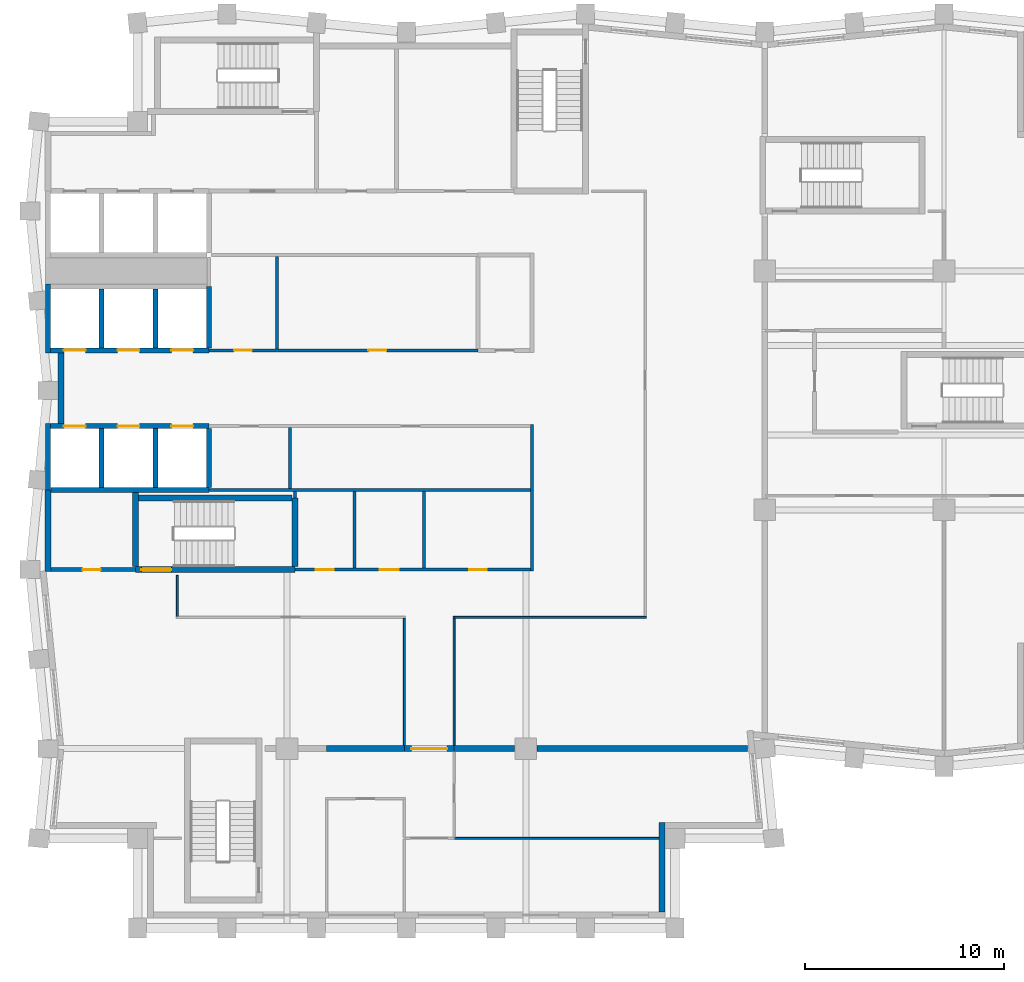
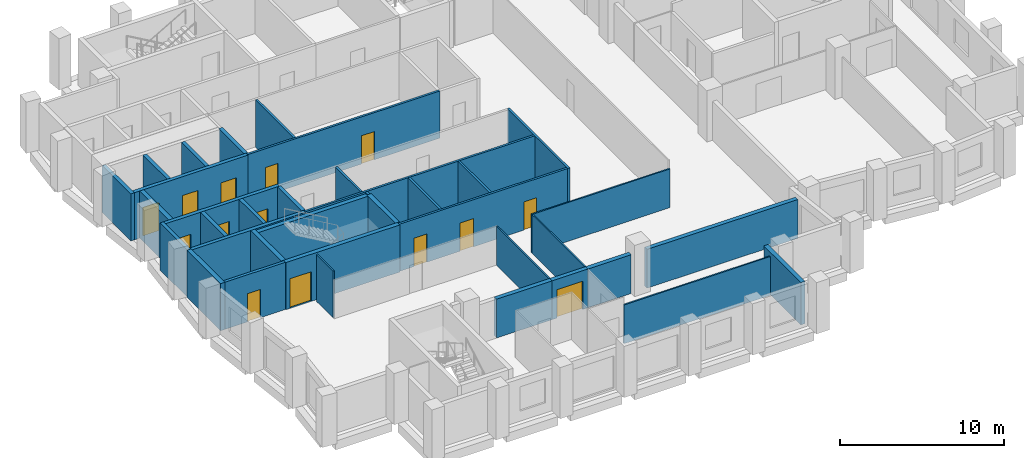
# One storey, part 3 of 7: 37 walls, 14 doors, 14 openings.
"""IFC4 building model written with IfcOpenShell, lengths in metres."""

from ifc_helpers import new_model, si_unit, direction, frame, frame_2d, origin, place, context, subcontext, project, spatial, rectangle, extrude, material, layer, layer_set, type_object, element, fill, save


model = new_model("IFC4")

# Units and contexts
model_context = context("Model", 3, precision=1e-05, world=origin(), true_north=direction((0.0, 1.0)))
body_context = subcontext(model_context, "Body", "Model", "MODEL_VIEW")
ifc_project = project(units=[si_unit("LENGTHUNIT", "METRE"), si_unit("AREAUNIT", "SQUARE_METRE"), si_unit("VOLUMEUNIT", "CUBIC_METRE"), si_unit("PLANEANGLEUNIT", "RADIAN"), si_unit("MASSUNIT", "GRAM", prefix="KILO")], contexts=[model_context])

# Site, building, storey
site_placement = place(None, origin())
site = spatial("IfcSite", under=ifc_project, at=site_placement, CompositionType="ELEMENT")
building_placement = place(site_placement, origin())
building = spatial("IfcBuilding", under=site, at=building_placement, Name="Brondeck Convention Tower", CompositionType="ELEMENT")
storey_placement = place(building_placement, frame((0.0, 0.0, 206.39990234375)))
storey = spatial("IfcBuildingStorey", under=building, at=storey_placement, Name="L50", CompositionType="ELEMENT", Elevation=206.39990234375)

# Wall
ifc_material_1 = material(Name="Concrete compartment wall C30/37", Category="concrete")
ifc_layer_1 = layer(ifc_material_1, 0.300048828125)
ifc_layer_set_1 = layer_set([ifc_layer_1], Name="Compartment wall 300")
wall_type_1 = type_object("IfcWallType", Name="Compartment wall 300", PredefinedType="PARTITIONING", material=ifc_layer_set_1)
wall_1_placement = place(storey_placement, frame((14.0, 27.0, 0.0), z_axis=(0.0, 0.0, 1.0), x_axis=(1.0, 0.0, 0.0)))
element("IfcWall", 1, at=wall_1_placement, inside=storey, type_object=wall_type_1, Name="FLR-L50-W015", PredefinedType="PARTITIONING", context=body_context, shape_type="SweptSolid", body=[
    extrude(rectangle(XDim=3.89990234375, YDim=0.300048828125, at=frame_2d((1.949951171875, 0.0))), origin(), (0.0, 0.0, 1.0), 2.880126953125),
])

# Wall, opening, door
wall_2_placement = place(storey_placement, frame((20.39990234375, 27.0, 0.0), z_axis=(0.0, 0.0, 1.0), x_axis=(-1.0, 0.0, 0.0)))
wall_2 = element("IfcWall", 2, at=wall_2_placement, inside=storey, type_object=wall_type_1, Name="FLR-L50-W016", PredefinedType="PARTITIONING", context=body_context, shape_type="SweptSolid", body=[
    extrude(rectangle(XDim=2.5, YDim=0.300048828125, at=frame_2d((1.25, 0.0))), origin(), (0.0, 0.0, 1.0), 2.880126953125),
])
opening_1_placement = place(wall_2_placement, frame((0.35009765625, 0.0, 0.0)))
opening_1 = element("IfcOpeningElement", 3, at=opening_1_placement, cuts=wall_2, Name="Opening OF-K2-011", PredefinedType="OPENING", context=body_context, shape_type="SweptSolid", body=[
    extrude(rectangle(XDim=1.800048828125, YDim=2.10009765625, at=frame_2d((0.89990234375, 1.050048828125))), frame((0.0, 0.159912109375, 0.0), z_axis=(0.0, -1.0, 0.0), x_axis=(1.0, 0.0, 0.0)), (0.0, 0.0, 1.0), 0.320068359375),
])
ifc_material_2 = material(Name="Steel fire door pair", Category="steel")
door_type_1 = type_object("IfcDoorType", Name="Fire door pair 1800", OperationType="DOUBLE_DOOR_SINGLE_SWING", PredefinedType="DOOR", material=ifc_material_2)
door_1_placement = place(opening_1_placement, origin())
door_1 = element("IfcDoor", 4, at=door_1_placement, inside=storey, type_object=door_type_1, Name="Door OF-K2-011", OperationType="DOUBLE_DOOR_SINGLE_SWING", OverallHeight=2.10009765625, OverallWidth=1.800048828125, PredefinedType="DOOR", context=body_context, shape_type="SweptSolid", body=[
    extrude(rectangle(XDim=1.800048828125, YDim=2.10009765625, at=frame_2d((0.89990234375, 1.050048828125))), frame((0.0, 0.02490234375, 0.0), z_axis=(0.0, -1.0, 0.0), x_axis=(1.0, 0.0, 0.0)), (0.0, 0.0, 1.0), 0.050048828125),
])
fill(opening_1, door_1)

# Walls
wall_3_placement = place(storey_placement, frame((20.39990234375, 27.0, 0.0), z_axis=(0.0, 0.0, 1.0), x_axis=(1.0, 0.0, 0.0)))
element("IfcWall", 5, at=wall_3_placement, inside=storey, type_object=wall_type_1, Name="FLR-L50-W017", PredefinedType="PARTITIONING", context=body_context, shape_type="SweptSolid", body=[
    extrude(rectangle(XDim=3.045166015625, YDim=0.300048828125, at=frame_2d((1.5224609375, 0.0))), origin(), (0.0, 0.0, 1.0), 2.880126953125),
])
wall_4_placement = place(storey_placement, frame((24.554931640625, 27.0, 0.0), z_axis=(0.0, 0.0, 1.0), x_axis=(1.0, 0.0, 0.0)))
element("IfcWall", 6, at=wall_4_placement, inside=storey, type_object=wall_type_1, Name="FLR-L50-W018", PredefinedType="PARTITIONING", context=body_context, shape_type="SweptSolid", body=[
    extrude(rectangle(XDim=10.591064453125, YDim=0.300048828125, at=frame_2d((5.29541015625, 0.0))), origin(), (0.0, 0.0, 1.0), 2.880126953125),
])

# Wall, openings, doors
ifc_material_3 = material(Name="Concrete C50/60", Category="concrete")
ifc_layer_2 = layer(ifc_material_3, 0.14990234375)
ifc_layer_set_2 = layer_set([ifc_layer_2], Name="Core beam-seat wall 150 Concrete C50/60")
wall_type_2 = type_object("IfcWallType", Name="Core beam-seat wall 150 Concrete C50/60", PredefinedType="SHEAR", material=ifc_layer_set_2)
wall_5_placement = place(storey_placement, frame((12.39990234375, 36.0, 0.0), z_axis=(0.0, 0.0, 1.0), x_axis=(1.0, 0.0, 0.0)))
wall_5 = element("IfcWall", 7, at=wall_5_placement, inside=storey, type_object=wall_type_2, Name="L50 core wall", PredefinedType="SHEAR", context=body_context, shape_type="SweptSolid", body=[
    extrude(rectangle(XDim=11.8251953125, YDim=0.14990234375, at=frame_2d((5.91259765625, 0.0))), origin(), (0.0, 0.0, 1.0), 3.5),
])
opening_2_placement = place(wall_5_placement, frame((1.050048828125, 0.0, 0.0)))
opening_2 = element("IfcOpeningElement", 8, at=opening_2_placement, cuts=wall_5, Name="Opening C28-03", PredefinedType="OPENING", context=body_context, shape_type="SweptSolid", body=[
    extrude(rectangle(XDim=0.89990234375, YDim=2.10009765625, at=frame_2d((0.449951171875, 1.050048828125))), frame((0.0, 0.0849609375, 0.0), z_axis=(0.0, -1.0, 0.0), x_axis=(1.0, 0.0, 0.0)), (0.0, 0.0, 1.0), 0.169921875),
])
opening_3_placement = place(wall_5_placement, frame((4.27490234375, 0.0, 0.0)))
opening_3 = element("IfcOpeningElement", 9, at=opening_3_placement, cuts=wall_5, Name="Opening C28-04", PredefinedType="OPENING", context=body_context, shape_type="SweptSolid", body=[
    extrude(rectangle(XDim=0.949951171875, YDim=2.10009765625, at=frame_2d((0.47509765625, 1.050048828125))), frame((0.0, 0.0849609375, 0.0), z_axis=(0.0, -1.0, 0.0), x_axis=(1.0, 0.0, 0.0)), (0.0, 0.0, 1.0), 0.169921875),
])
opening_4_placement = place(wall_5_placement, frame((8.75, 0.0, 0.0)))
opening_4 = element("IfcOpeningElement", 10, at=opening_4_placement, cuts=wall_5, Name="Opening C28-05", PredefinedType="OPENING", context=body_context, shape_type="SweptSolid", body=[
    extrude(rectangle(XDim=0.89990234375, YDim=2.10009765625, at=frame_2d((0.449951171875, 1.050048828125))), frame((0.0, 0.0849609375, 0.0), z_axis=(0.0, -1.0, 0.0), x_axis=(1.0, 0.0, 0.0)), (0.0, 0.0, 1.0), 0.169921875),
])
ifc_material_4 = material(Name="Steel fire door", Category="steel")
door_type_2 = type_object("IfcDoorType", Name="Room door 900x2100 EI 60", OperationType="NOTDEFINED", PredefinedType="DOOR", material=ifc_material_4)
door_2_placement = place(opening_2_placement, origin())
door_2 = element("IfcDoor", 11, at=door_2_placement, inside=storey, type_object=door_type_2, Name="L50 Room door FR-1", OperationType="SINGLE_SWING_RIGHT", OverallHeight=2.10009765625, OverallWidth=0.89990234375, PredefinedType="DOOR", context=body_context, shape_type="SweptSolid", body=[
    extrude(rectangle(XDim=0.89990234375, YDim=2.10009765625, at=frame_2d((0.449951171875, 1.050048828125))), frame((0.0, 0.02490234375, 0.0), z_axis=(0.0, -1.0, 0.0), x_axis=(1.0, 0.0, 0.0)), (0.0, 0.0, 1.0), 0.050048828125),
])
fill(opening_2, door_2)
door_3_placement = place(opening_4_placement, origin())
door_3 = element("IfcDoor", 12, at=door_3_placement, inside=storey, type_object=door_type_2, Name="L50 Room door FR-3", OperationType="SINGLE_SWING_RIGHT", OverallHeight=2.10009765625, OverallWidth=0.89990234375, PredefinedType="DOOR", context=body_context, shape_type="SweptSolid", body=[
    extrude(rectangle(XDim=0.89990234375, YDim=2.10009765625, at=frame_2d((0.449951171875, 1.050048828125))), frame((0.0, 0.02490234375, 0.0), z_axis=(0.0, -1.0, 0.0), x_axis=(1.0, 0.0, 0.0)), (0.0, 0.0, 1.0), 0.050048828125),
])
fill(opening_4, door_3)
door_type_3 = type_object("IfcDoorType", Name="Room door 950x2100 EI 60", OperationType="NOTDEFINED", PredefinedType="DOOR", material=ifc_material_4)
door_4_placement = place(opening_3_placement, origin())
door_4 = element("IfcDoor", 13, at=door_4_placement, inside=storey, type_object=door_type_3, Name="L50 Room door FR-2", OperationType="SINGLE_SWING_LEFT", OverallHeight=2.10009765625, OverallWidth=0.949951171875, PredefinedType="DOOR", context=body_context, shape_type="SweptSolid", body=[
    extrude(rectangle(XDim=0.949951171875, YDim=2.10009765625, at=frame_2d((0.47509765625, 1.050048828125))), frame((0.0, 0.02490234375, 0.0), z_axis=(0.0, -1.0, 0.0), x_axis=(1.0, 0.0, 0.0)), (0.0, 0.0, 1.0), 0.050048828125),
])
fill(opening_3, door_4)

# Walls
ifc_layer_3 = layer(ifc_material_3, 0.300048828125)
ifc_layer_set_3 = layer_set([ifc_layer_3], Name="Core outer wall 300 Concrete C50/60")
wall_type_3 = type_object("IfcWallType", Name="Core outer wall 300 Concrete C50/60", PredefinedType="SHEAR", material=ifc_layer_set_3)
wall_6_placement = place(storey_placement, frame((0.0, 35.89990234375, 0.0), z_axis=(0.0, 0.0, 1.0), x_axis=(0.0, 1.0, 0.0)))
element("IfcWall", 14, at=wall_6_placement, inside=storey, type_object=wall_type_3, Name="L50 core wall", PredefinedType="SHEAR", context=body_context, shape_type="SweptSolid", body=[
    extrude(rectangle(XDim=4.10009765625, YDim=0.300048828125, at=frame_2d((2.050048828125, 0.0))), origin(), (0.0, 0.0, 1.0), 3.5),
])
wall_7_placement = place(storey_placement, frame((0.64990234375, 43.324951171875, 0.0), z_axis=(0.0, 0.0, 1.0), x_axis=(0.0, 1.0, 0.0)))
element("IfcWall", 15, at=wall_7_placement, inside=storey, type_object=wall_type_3, Name="L50 core wall", PredefinedType="SHEAR", context=body_context, shape_type="SweptSolid", body=[
    extrude(rectangle(XDim=3.550048828125, YDim=0.300048828125, at=frame_2d((1.77490234375, 0.0))), origin(), (0.0, 0.0, 1.0), 3.5),
])
ifc_material_5 = material(Name="Fire-rated gypsum board partition")
ifc_layer_4 = layer(ifc_material_5, 0.14990234375)
ifc_layer_set_4 = layer_set([ifc_layer_4], Name="Core partition 150 EI 60")
wall_type_4 = type_object("IfcWallType", Name="Core partition 150 EI 60", PredefinedType="PARTITIONING", material=ifc_layer_set_4)
wall_8_placement = place(storey_placement, frame((8.10009765625, 40.0, 0.0), z_axis=(0.0, 0.0, 1.0), x_axis=(1.0, 0.0, 0.0)))
element("IfcWall", 16, at=wall_8_placement, inside=storey, type_object=wall_type_4, Name="L50 core wall", PredefinedType="PARTITIONING", context=body_context, shape_type="SweptSolid", body=[
    extrude(rectangle(XDim=16.125, YDim=0.14990234375, at=frame_2d((8.0625, 0.0))), origin(), (0.0, 0.0, 1.0), 3.5),
])

# Wall, openings, doors
wall_9_placement = place(storey_placement, frame((8.10009765625, 47.0, 0.0), z_axis=(0.0, 0.0, 1.0), x_axis=(1.0, 0.0, 0.0)))
wall_9 = element("IfcWall", 17, at=wall_9_placement, inside=storey, type_object=wall_type_4, Name="L50 core wall", PredefinedType="PARTITIONING", context=body_context, shape_type="SweptSolid", body=[
    extrude(rectangle(XDim=13.5, YDim=0.14990234375, at=frame_2d((6.75, 0.0))), origin(), (0.0, 0.0, 1.0), 3.5),
])
opening_5_placement = place(wall_9_placement, frame((1.25, 0.0, 0.0)))
opening_5 = element("IfcOpeningElement", 18, at=opening_5_placement, cuts=wall_9, Name="Opening C28-07", PredefinedType="OPENING", context=body_context, shape_type="SweptSolid", body=[
    extrude(rectangle(XDim=0.89990234375, YDim=2.10009765625, at=frame_2d((0.449951171875, 1.050048828125))), frame((0.0, 0.0849609375, 0.0), z_axis=(0.0, -1.0, 0.0), x_axis=(1.0, 0.0, 0.0)), (0.0, 0.0, 1.0), 0.169921875),
])
opening_6_placement = place(wall_9_placement, frame((8.0, 0.0, 0.0)))
opening_6 = element("IfcOpeningElement", 19, at=opening_6_placement, cuts=wall_9, Name="Opening C28-08", PredefinedType="OPENING", context=body_context, shape_type="SweptSolid", body=[
    extrude(rectangle(XDim=0.89990234375, YDim=2.10009765625, at=frame_2d((0.449951171875, 1.050048828125))), frame((0.0, 0.0849609375, 0.0), z_axis=(0.0, -1.0, 0.0), x_axis=(1.0, 0.0, 0.0)), (0.0, 0.0, 1.0), 0.169921875),
])
door_5_placement = place(opening_5_placement, origin())
door_5 = element("IfcDoor", 20, at=door_5_placement, inside=storey, type_object=door_type_2, Name="L50 Room door FZ-N-8.1-1", OperationType="SINGLE_SWING_LEFT", OverallHeight=2.10009765625, OverallWidth=0.89990234375, PredefinedType="DOOR", context=body_context, shape_type="SweptSolid", body=[
    extrude(rectangle(XDim=0.89990234375, YDim=2.10009765625, at=frame_2d((0.449951171875, 1.050048828125))), frame((0.0, 0.02490234375, 0.0), z_axis=(0.0, -1.0, 0.0), x_axis=(1.0, 0.0, 0.0)), (0.0, 0.0, 1.0), 0.050048828125),
])
fill(opening_5, door_5)
door_6_placement = place(opening_6_placement, origin())
door_6 = element("IfcDoor", 21, at=door_6_placement, inside=storey, type_object=door_type_2, Name="L50 Room door FZ-N-8.1-2", OperationType="SINGLE_SWING_RIGHT", OverallHeight=2.10009765625, OverallWidth=0.89990234375, PredefinedType="DOOR", context=body_context, shape_type="SweptSolid", body=[
    extrude(rectangle(XDim=0.89990234375, YDim=2.10009765625, at=frame_2d((0.449951171875, 1.050048828125))), frame((0.0, 0.02490234375, 0.0), z_axis=(0.0, -1.0, 0.0), x_axis=(1.0, 0.0, 0.0)), (0.0, 0.0, 1.0), 0.050048828125),
])
fill(opening_6, door_6)

# Walls
wall_10_placement = place(storey_placement, frame((11.5, 47.074951171875, 0.0), z_axis=(0.0, 0.0, 1.0), x_axis=(0.0, 1.0, 0.0)))
element("IfcWall", 22, at=wall_10_placement, inside=storey, type_object=wall_type_4, Name="L50 core wall", PredefinedType="PARTITIONING", context=body_context, shape_type="SweptSolid", body=[
    extrude(rectangle(XDim=4.650146484375, YDim=0.14990234375, at=frame_2d((2.3251953125, 0.0))), origin(), (0.0, 0.0, 1.0), 3.5),
])
wall_11_placement = place(storey_placement, frame((12.14990234375, 40.074951171875, 0.0), z_axis=(0.0, 0.0, 1.0), x_axis=(0.0, 1.0, 0.0)))
element("IfcWall", 23, at=wall_11_placement, inside=storey, type_object=wall_type_4, Name="L50 core wall", PredefinedType="PARTITIONING", context=body_context, shape_type="SweptSolid", body=[
    extrude(rectangle(XDim=3.050048828125, YDim=0.14990234375, at=frame_2d((1.52490234375, 0.0))), origin(), (0.0, 0.0, 1.0), 3.5),
])
wall_12_placement = place(storey_placement, frame((12.39990234375, 39.60009765625, 0.0), z_axis=(0.0, 0.0, 1.0), x_axis=(0.0, 1.0, 0.0)))
element("IfcWall", 24, at=wall_12_placement, inside=storey, type_object=wall_type_4, Name="L50 core wall", PredefinedType="PARTITIONING", context=body_context, shape_type="SweptSolid", body=[
    extrude(rectangle(XDim=0.324951171875, YDim=0.14990234375, at=frame_2d((0.16259765625, 0.0))), origin(), (0.0, 0.0, 1.0), 3.5),
])
for number, where, z_axis, x_axis, name in (
    (25, (15.39990234375, 36.074951171875, 0.0), (0.0, 0.0, 1.0), (0.0, 1.0, 0.0), "L50 core wall"),
    (26, (18.89990234375, 36.074951171875, 0.0), (0.0, 0.0, 1.0), (0.0, 1.0, 0.0), "L50 core wall"),
):
    element("IfcWall", number, at=place(storey_placement, frame(where, z_axis=z_axis, x_axis=x_axis)), inside=storey, type_object=wall_type_4, Name=name, PredefinedType="PARTITIONING", context=body_context, shape_type="SweptSolid", body=[
        extrude(rectangle(XDim=3.85009765625, YDim=0.14990234375, at=frame_2d((1.925048828125, 0.0))), origin(), (0.0, 0.0, 1.0), 3.5),
    ])
wall_13_placement = place(storey_placement, frame((24.300048828125, 35.925048828125, 0.0), z_axis=(0.0, 0.0, 1.0), x_axis=(0.0, 1.0, 0.0)))
element("IfcWall", 27, at=wall_13_placement, inside=storey, type_object=wall_type_4, Name="L50 core wall", PredefinedType="PARTITIONING", context=body_context, shape_type="SweptSolid", body=[
    extrude(rectangle(XDim=7.349853515625, YDim=0.14990234375, at=frame_2d((3.6748046875, 0.0))), origin(), (0.0, 0.0, 1.0), 3.5),
])
ifc_material_6 = material(Name="Precast concrete C50/60 bronze finish", Category="concrete")
ifc_layer_5 = layer(ifc_material_6, 0.070068359375, Name="Bronze precast facing")
ifc_material_7 = material(Name="Mineral wool")
ifc_layer_6 = layer(ifc_material_7, 0.159912109375, Name="Insulation")
ifc_material_8 = material(Name="Concrete C35/45", Category="concrete")
ifc_layer_7 = layer(ifc_material_8, 0.070068359375, Name="Backing")
ifc_layer_set_5 = layer_set([ifc_layer_5, ifc_layer_6, ifc_layer_7], Name="External infill wall, precast concrete C50/60 bronze facing")
wall_type_5 = type_object("IfcWallType", Name="External infill wall, precast concrete C50/60 bronze facing", PredefinedType="SOLIDWALL", material=ifc_layer_set_5)
wall_14_placement = place(storey_placement, frame((30.85009765625, 23.300048828125, 0.0), z_axis=(0.0, 0.0, 1.0), x_axis=(0.0, -1.0, 0.0)))
element("IfcWall", 28, at=wall_14_placement, inside=storey, type_object=wall_type_5, Name="ENV-EW-L50-P2-NC-SEB18-01", PredefinedType="SOLIDWALL", context=body_context, shape_type="SweptSolid", body=[
    extrude(rectangle(XDim=4.5, YDim=0.300048828125, at=frame_2d((2.25, 0.0))), origin(), (0.0, 0.0, 1.0), 3.150146484375),
])
ifc_layer_8 = layer(ifc_material_3, 0.25)
ifc_layer_set_6 = layer_set([ifc_layer_8], Name="Lift shaft wall 250 Concrete C50/60")
wall_type_6 = type_object("IfcWallType", Name="Lift shaft wall 250 Concrete C50/60", PredefinedType="SHEAR", material=ifc_layer_set_6)
wall_15_placement = place(storey_placement, frame((0.14990234375, 40.0, 0.0), z_axis=(0.0, 0.0, 1.0), x_axis=(1.0, 0.0, 0.0)))
element("IfcWall", 29, at=wall_15_placement, inside=storey, type_object=wall_type_6, Name="L50 core wall", PredefinedType="SHEAR", context=body_context, shape_type="SweptSolid", body=[
    extrude(rectangle(XDim=7.9501953125, YDim=0.25, at=frame_2d((3.97509765625, 0.0))), origin(), (0.0, 0.0, 1.0), 3.5),
])

# Wall, openings, doors
wall_16_placement = place(storey_placement, frame((0.125, 43.199951171875, 0.0), z_axis=(0.0, 0.0, 1.0), x_axis=(1.0, 0.0, 0.0)))
wall_16 = element("IfcWall", 30, at=wall_16_placement, inside=storey, type_object=wall_type_6, Name="L50 core wall", PredefinedType="SHEAR", context=body_context, shape_type="SweptSolid", body=[
    extrude(rectangle(XDim=7.97509765625, YDim=0.25, at=frame_2d((3.987548828125, 0.0))), origin(), (0.0, 0.0, 1.0), 3.5),
])
opening_7_placement = place(wall_16_placement, frame((0.675048828125, 0.0, 0.0)))
opening_7 = element("IfcOpeningElement", 31, at=opening_7_placement, cuts=wall_16, Name="Opening C28-22", PredefinedType="OPENING", context=body_context, shape_type="SweptSolid", body=[
    extrude(rectangle(XDim=1.10009765625, YDim=2.10009765625, at=frame_2d((0.550048828125, 1.050048828125))), frame((0.0, 0.135009765625, 0.0), z_axis=(0.0, -1.0, 0.0), x_axis=(1.0, 0.0, 0.0)), (0.0, 0.0, 1.0), 0.27001953125),
])
opening_8_placement = place(wall_16_placement, frame((3.375, 0.0, 0.0)))
opening_8 = element("IfcOpeningElement", 32, at=opening_8_placement, cuts=wall_16, Name="Opening C28-23", PredefinedType="OPENING", context=body_context, shape_type="SweptSolid", body=[
    extrude(rectangle(XDim=1.10009765625, YDim=2.10009765625, at=frame_2d((0.550048828125, 1.050048828125))), frame((0.0, 0.135009765625, 0.0), z_axis=(0.0, -1.0, 0.0), x_axis=(1.0, 0.0, 0.0)), (0.0, 0.0, 1.0), 0.27001953125),
])
opening_9_placement = place(wall_16_placement, frame((6.074951171875, 0.0, 0.0)))
opening_9 = element("IfcOpeningElement", 33, at=opening_9_placement, cuts=wall_16, Name="Opening C28-24", PredefinedType="OPENING", context=body_context, shape_type="SweptSolid", body=[
    extrude(rectangle(XDim=1.10009765625, YDim=2.10009765625, at=frame_2d((0.550048828125, 1.050048828125))), frame((0.0, 0.135009765625, 0.0), z_axis=(0.0, -1.0, 0.0), x_axis=(1.0, 0.0, 0.0)), (0.0, 0.0, 1.0), 0.27001953125),
])
ifc_material_9 = material(Name="Stainless steel lift door", Category="steel")
door_type_4 = type_object("IfcDoorType", Name="Lift landing door 1100x2100 EI 180", OperationType="DOUBLE_DOOR_SLIDING", PredefinedType="DOOR", material=ifc_material_9)
door_7_placement = place(opening_7_placement, origin())
door_7 = element("IfcDoor", 34, at=door_7_placement, inside=storey, type_object=door_type_4, Name="L50 Lift landing door HR1", OperationType="DOUBLE_DOOR_SLIDING", OverallHeight=2.10009765625, OverallWidth=1.10009765625, PredefinedType="DOOR", context=body_context, shape_type="SweptSolid", body=[
    extrude(rectangle(XDim=1.10009765625, YDim=2.10009765625, at=frame_2d((0.550048828125, 1.050048828125))), frame((0.0, 0.02490234375, 0.0), z_axis=(0.0, -1.0, 0.0), x_axis=(1.0, 0.0, 0.0)), (0.0, 0.0, 1.0), 0.050048828125),
])
fill(opening_7, door_7)
door_8_placement = place(opening_8_placement, origin())
door_8 = element("IfcDoor", 35, at=door_8_placement, inside=storey, type_object=door_type_4, Name="L50 Lift landing door HR2", OperationType="DOUBLE_DOOR_SLIDING", OverallHeight=2.10009765625, OverallWidth=1.10009765625, PredefinedType="DOOR", context=body_context, shape_type="SweptSolid", body=[
    extrude(rectangle(XDim=1.10009765625, YDim=2.10009765625, at=frame_2d((0.550048828125, 1.050048828125))), frame((0.0, 0.02490234375, 0.0), z_axis=(0.0, -1.0, 0.0), x_axis=(1.0, 0.0, 0.0)), (0.0, 0.0, 1.0), 0.050048828125),
])
fill(opening_8, door_8)
door_9_placement = place(opening_9_placement, origin())
door_9 = element("IfcDoor", 36, at=door_9_placement, inside=storey, type_object=door_type_4, Name="L50 Lift landing door HR3", OperationType="DOUBLE_DOOR_SLIDING", OverallHeight=2.10009765625, OverallWidth=1.10009765625, PredefinedType="DOOR", context=body_context, shape_type="SweptSolid", body=[
    extrude(rectangle(XDim=1.10009765625, YDim=2.10009765625, at=frame_2d((0.550048828125, 1.050048828125))), frame((0.0, 0.02490234375, 0.0), z_axis=(0.0, -1.0, 0.0), x_axis=(1.0, 0.0, 0.0)), (0.0, 0.0, 1.0), 0.050048828125),
])
fill(opening_9, door_9)

wall_17_placement = place(storey_placement, frame((0.125, 47.0, 0.0), z_axis=(0.0, 0.0, 1.0), x_axis=(1.0, 0.0, 0.0)))
wall_17 = element("IfcWall", 37, at=wall_17_placement, inside=storey, type_object=wall_type_6, Name="L50 core wall", PredefinedType="SHEAR", context=body_context, shape_type="SweptSolid", body=[
    extrude(rectangle(XDim=7.97509765625, YDim=0.25, at=frame_2d((3.987548828125, 0.0))), origin(), (0.0, 0.0, 1.0), 3.5),
])
opening_10_placement = place(wall_17_placement, frame((0.675048828125, 0.0, 0.0)))
opening_10 = element("IfcOpeningElement", 38, at=opening_10_placement, cuts=wall_17, Name="Opening C28-25", PredefinedType="OPENING", context=body_context, shape_type="SweptSolid", body=[
    extrude(rectangle(XDim=1.10009765625, YDim=2.10009765625, at=frame_2d((0.550048828125, 1.050048828125))), frame((0.0, 0.135009765625, 0.0), z_axis=(0.0, -1.0, 0.0), x_axis=(1.0, 0.0, 0.0)), (0.0, 0.0, 1.0), 0.27001953125),
])
opening_11_placement = place(wall_17_placement, frame((3.375, 0.0, 0.0)))
opening_11 = element("IfcOpeningElement", 39, at=opening_11_placement, cuts=wall_17, Name="Opening C28-26", PredefinedType="OPENING", context=body_context, shape_type="SweptSolid", body=[
    extrude(rectangle(XDim=1.10009765625, YDim=2.10009765625, at=frame_2d((0.550048828125, 1.050048828125))), frame((0.0, 0.135009765625, 0.0), z_axis=(0.0, -1.0, 0.0), x_axis=(1.0, 0.0, 0.0)), (0.0, 0.0, 1.0), 0.27001953125),
])
opening_12_placement = place(wall_17_placement, frame((6.074951171875, 0.0, 0.0)))
opening_12 = element("IfcOpeningElement", 40, at=opening_12_placement, cuts=wall_17, Name="Opening C28-27", PredefinedType="OPENING", context=body_context, shape_type="SweptSolid", body=[
    extrude(rectangle(XDim=1.10009765625, YDim=2.10009765625, at=frame_2d((0.550048828125, 1.050048828125))), frame((0.0, 0.135009765625, 0.0), z_axis=(0.0, -1.0, 0.0), x_axis=(1.0, 0.0, 0.0)), (0.0, 0.0, 1.0), 0.27001953125),
])
door_10_placement = place(opening_10_placement, origin())
door_10 = element("IfcDoor", 41, at=door_10_placement, inside=storey, type_object=door_type_4, Name="L50 Lift landing door HR4", OperationType="DOUBLE_DOOR_SLIDING", OverallHeight=2.10009765625, OverallWidth=1.10009765625, PredefinedType="DOOR", context=body_context, shape_type="SweptSolid", body=[
    extrude(rectangle(XDim=1.10009765625, YDim=2.10009765625, at=frame_2d((0.550048828125, 1.050048828125))), frame((0.0, 0.02490234375, 0.0), z_axis=(0.0, -1.0, 0.0), x_axis=(1.0, 0.0, 0.0)), (0.0, 0.0, 1.0), 0.050048828125),
])
fill(opening_10, door_10)
door_11_placement = place(opening_11_placement, origin())
door_11 = element("IfcDoor", 42, at=door_11_placement, inside=storey, type_object=door_type_4, Name="L50 Lift landing door HR5", OperationType="DOUBLE_DOOR_SLIDING", OverallHeight=2.10009765625, OverallWidth=1.10009765625, PredefinedType="DOOR", context=body_context, shape_type="SweptSolid", body=[
    extrude(rectangle(XDim=1.10009765625, YDim=2.10009765625, at=frame_2d((0.550048828125, 1.050048828125))), frame((0.0, 0.02490234375, 0.0), z_axis=(0.0, -1.0, 0.0), x_axis=(1.0, 0.0, 0.0)), (0.0, 0.0, 1.0), 0.050048828125),
])
fill(opening_11, door_11)
door_12_placement = place(opening_12_placement, origin())
door_12 = element("IfcDoor", 43, at=door_12_placement, inside=storey, type_object=door_type_4, Name="L50 Lift landing door HR6", OperationType="DOUBLE_DOOR_SLIDING", OverallHeight=2.10009765625, OverallWidth=1.10009765625, PredefinedType="DOOR", context=body_context, shape_type="SweptSolid", body=[
    extrude(rectangle(XDim=1.10009765625, YDim=2.10009765625, at=frame_2d((0.550048828125, 1.050048828125))), frame((0.0, 0.02490234375, 0.0), z_axis=(0.0, -1.0, 0.0), x_axis=(1.0, 0.0, 0.0)), (0.0, 0.0, 1.0), 0.050048828125),
])
fill(opening_12, door_12)

# Walls
wall_18_placement = place(storey_placement, frame((0.0, 40.0, 0.0), z_axis=(0.0, 0.0, 1.0), x_axis=(0.0, 1.0, 0.0)))
element("IfcWall", 44, at=wall_18_placement, inside=storey, type_object=wall_type_6, Name="L50 core wall", PredefinedType="SHEAR", context=body_context, shape_type="SweptSolid", body=[
    extrude(rectangle(XDim=3.324951171875, YDim=0.25, at=frame_2d((1.66259765625, 0.0))), origin(), (0.0, 0.0, 1.0), 3.5),
])
wall_19_placement = place(storey_placement, frame((0.0, 46.875, 0.0), z_axis=(0.0, 0.0, 1.0), x_axis=(0.0, 1.0, 0.0)))
element("IfcWall", 45, at=wall_19_placement, inside=storey, type_object=wall_type_6, Name="L50 core wall", PredefinedType="SHEAR", context=body_context, shape_type="SweptSolid", body=[
    extrude(rectangle(XDim=3.47509765625, YDim=0.25, at=frame_2d((1.737548828125, 0.0))), origin(), (0.0, 0.0, 1.0), 3.5),
])
for number, where, z_axis, x_axis, name in (
    (46, (2.699951171875, 40.125, 0.0), (0.0, 0.0, 1.0), (0.0, 1.0, 0.0), "L50 core wall"),
    (47, (2.699951171875, 47.125, 0.0), (0.0, 0.0, 1.0), (0.0, 1.0, 0.0), "L50 core wall"),
    (48, (5.39990234375, 40.125, 0.0), (0.0, 0.0, 1.0), (0.0, 1.0, 0.0), "L50 core wall"),
    (49, (5.39990234375, 47.125, 0.0), (0.0, 0.0, 1.0), (0.0, 1.0, 0.0), "L50 core wall"),
    (50, (8.10009765625, 40.125, 0.0), (0.0, 0.0, 1.0), (0.0, 1.0, 0.0), "L50 core wall"),
):
    element("IfcWall", number, at=place(storey_placement, frame(where, z_axis=z_axis, x_axis=x_axis)), inside=storey, type_object=wall_type_6, Name=name, PredefinedType="SHEAR", context=body_context, shape_type="SweptSolid", body=[
        extrude(rectangle(XDim=2.949951171875, YDim=0.25, at=frame_2d((1.47509765625, 0.0))), origin(), (0.0, 0.0, 1.0), 3.5),
    ])
wall_20_placement = place(storey_placement, frame((8.10009765625, 47.125, 0.0), z_axis=(0.0, 0.0, 1.0), x_axis=(0.0, 1.0, 0.0)))
element("IfcWall", 51, at=wall_20_placement, inside=storey, type_object=wall_type_6, Name="L50 core wall", PredefinedType="SHEAR", context=body_context, shape_type="SweptSolid", body=[
    extrude(rectangle(XDim=3.074951171875, YDim=0.25, at=frame_2d((1.53759765625, 0.0))), origin(), (0.0, 0.0, 1.0), 3.5),
])

# Wall, opening, door
ifc_layer_9 = layer(ifc_material_5, 0.199951171875)
ifc_layer_set_7 = layer_set([ifc_layer_9], Name="Riser wall 200 EI 120")
wall_type_7 = type_object("IfcWallType", Name="Riser wall 200 EI 120", PredefinedType="PARTITIONING", material=ifc_layer_set_7)
wall_21_placement = place(storey_placement, frame((0.14990234375, 36.0, 0.0), z_axis=(0.0, 0.0, 1.0), x_axis=(1.0, 0.0, 0.0)))
wall_21 = element("IfcWall", 52, at=wall_21_placement, inside=storey, type_object=wall_type_7, Name="L50 core wall", PredefinedType="PARTITIONING", context=body_context, shape_type="SweptSolid", body=[
    extrude(rectangle(XDim=4.25, YDim=0.199951171875, at=frame_2d((2.125, 0.0))), origin(), (0.0, 0.0, 1.0), 3.5),
])
opening_13_placement = place(wall_21_placement, frame((1.60009765625, 0.0, 0.0)))
opening_13 = element("IfcOpeningElement", 53, at=opening_13_placement, cuts=wall_21, Name="Opening C28-06", PredefinedType="OPENING", context=body_context, shape_type="SweptSolid", body=[
    extrude(rectangle(XDim=0.89990234375, YDim=2.10009765625, at=frame_2d((0.449951171875, 1.050048828125))), frame((0.0, 0.10986328125, 0.0), z_axis=(0.0, -1.0, 0.0), x_axis=(1.0, 0.0, 0.0)), (0.0, 0.0, 1.0), 0.219970703125),
])
door_type_5 = type_object("IfcDoorType", Name="Riser door 900x2100 EI 120", OperationType="NOTDEFINED", PredefinedType="DOOR", material=ifc_material_4)
door_13_placement = place(opening_13_placement, origin())
door_13 = element("IfcDoor", 54, at=door_13_placement, inside=storey, type_object=door_type_5, Name="L50 Riser door FRW-1", OperationType="SINGLE_SWING_LEFT", OverallHeight=2.10009765625, OverallWidth=0.89990234375, PredefinedType="DOOR", context=body_context, shape_type="SweptSolid", body=[
    extrude(rectangle(XDim=0.89990234375, YDim=2.10009765625, at=frame_2d((0.449951171875, 1.050048828125))), frame((0.0, 0.02490234375, 0.0), z_axis=(0.0, -1.0, 0.0), x_axis=(1.0, 0.0, 0.0)), (0.0, 0.0, 1.0), 0.050048828125),
])
fill(opening_13, door_13)

# Walls
ifc_material_10 = material(Name="Gypsum board partition on steel studs", Category="steel")
ifc_layer_10 = layer(ifc_material_10, 0.10009765625)
ifc_layer_set_8 = layer_set([ifc_layer_10], Name="Room partition 100")
wall_type_8 = type_object("IfcWallType", Name="Room partition 100", PredefinedType="PARTITIONING", material=ifc_layer_set_8)
wall_22_placement = place(storey_placement, frame((20.39990234375, 22.5, 0.0), z_axis=(0.0, 0.0, 1.0), x_axis=(1.0, 0.0, 0.0)))
element("IfcWall", 55, at=wall_22_placement, inside=storey, type_object=wall_type_8, Name="FLR-L50-W004", PredefinedType="PARTITIONING", context=body_context, shape_type="SweptSolid", body=[
    extrude(rectangle(XDim=10.280029296875, YDim=0.10009765625, at=frame_2d((5.14013671875, 0.0))), origin(), (0.0, 0.0, 1.0), 2.880126953125),
])
for number, where, z_axis, x_axis, name in (
    (56, (17.89990234375, 27.169921875, 0.0), (0.0, 0.0, 1.0), (0.0, 1.0, 0.0), "FLR-L50-W019"),
    (57, (20.39990234375, 33.550048828125, 0.0), (0.0, 0.0, 1.0), (0.0, -1.0, 0.0), "FLR-L50-W024"),
):
    element("IfcWall", number, at=place(storey_placement, frame(where, z_axis=z_axis, x_axis=x_axis)), inside=storey, type_object=wall_type_8, Name=name, PredefinedType="PARTITIONING", context=body_context, shape_type="SweptSolid", body=[
        extrude(rectangle(XDim=6.380126953125, YDim=0.10009765625, at=frame_2d((3.18994140625, 0.0))), origin(), (0.0, 0.0, 1.0), 2.880126953125),
    ])
wall_23_placement = place(storey_placement, frame((30.050048828125, 33.60009765625, 0.0), z_axis=(0.0, 0.0, 1.0), x_axis=(-1.0, 0.0, 0.0)))
element("IfcWall", 58, at=wall_23_placement, inside=storey, type_object=wall_type_8, Name="FLR-L50-W026", PredefinedType="PARTITIONING", context=body_context, shape_type="SweptSolid", body=[
    extrude(rectangle(XDim=9.699951171875, YDim=0.10009765625, at=frame_2d((4.85009765625, 0.0))), origin(), (0.0, 0.0, 1.0), 2.880126953125),
])
wall_24_placement = place(storey_placement, frame((6.5, 33.64990234375, 0.0), z_axis=(0.0, 0.0, 1.0), x_axis=(0.0, 1.0, 0.0)))
element("IfcWall", 59, at=wall_24_placement, inside=storey, type_object=wall_type_8, Name="FLR-L50-W027", PredefinedType="PARTITIONING", context=body_context, shape_type="SweptSolid", body=[
    extrude(rectangle(XDim=2.050048828125, YDim=0.10009765625, at=frame_2d((1.02490234375, 0.0))), origin(), (0.0, 0.0, 1.0), 3.47998046875),
])

# Wall, opening, door
ifc_layer_11 = layer(ifc_material_3, 0.300048828125)
ifc_layer_set_9 = layer_set([ifc_layer_11], Name="Stair enclosure wall 300 Concrete C50/60")
wall_type_9 = type_object("IfcWallType", Name="Stair enclosure wall 300 Concrete C50/60", PredefinedType="SHEAR", material=ifc_layer_set_9)
wall_25_placement = place(storey_placement, frame((4.39990234375, 36.0, 0.0), z_axis=(0.0, 0.0, 1.0), x_axis=(1.0, 0.0, 0.0)))
wall_25 = element("IfcWall", 60, at=wall_25_placement, inside=storey, type_object=wall_type_9, Name="L50 core wall", PredefinedType="SHEAR", context=body_context, shape_type="SweptSolid", body=[
    extrude(rectangle(XDim=8.0, YDim=0.300048828125, at=frame_2d((4.0, 0.0))), origin(), (0.0, 0.0, 1.0), 3.5),
])
opening_14_placement = place(wall_25_placement, frame((0.300048828125, 0.0, 0.0)))
opening_14 = element("IfcOpeningElement", 61, at=opening_14_placement, cuts=wall_25, Name="Opening C28-13", PredefinedType="OPENING", context=body_context, shape_type="SweptSolid", body=[
    extrude(rectangle(XDim=1.5, YDim=2.199951171875, at=frame_2d((0.75, 1.10009765625))), frame((0.0, 0.159912109375, 0.0), z_axis=(0.0, -1.0, 0.0), x_axis=(1.0, 0.0, 0.0)), (0.0, 0.0, 1.0), 0.320068359375),
])
door_type_6 = type_object("IfcDoorType", Name="Stair door 1500x2200 EI 90", OperationType="NOTDEFINED", PredefinedType="DOOR", material=ifc_material_4)
door_14_placement = place(opening_14_placement, origin())
door_14 = element("IfcDoor", 62, at=door_14_placement, inside=storey, type_object=door_type_6, Name="L50 Stair door ST-1", OperationType="SINGLE_SWING_RIGHT", OverallHeight=2.199951171875, OverallWidth=1.5, PredefinedType="DOOR", context=body_context, shape_type="SweptSolid", body=[
    extrude(rectangle(XDim=1.5, YDim=2.199951171875, at=frame_2d((0.75, 1.10009765625))), frame((0.0, 0.02490234375, 0.0), z_axis=(0.0, -1.0, 0.0), x_axis=(1.0, 0.0, 0.0)), (0.0, 0.0, 1.0), 0.050048828125),
])
fill(opening_14, door_14)

# Walls
wall_26_placement = place(storey_placement, frame((4.550048828125, 39.60009765625, 0.0), z_axis=(0.0, 0.0, 1.0), x_axis=(1.0, 0.0, 0.0)))
element("IfcWall", 63, at=wall_26_placement, inside=storey, type_object=wall_type_9, Name="L50 core wall", PredefinedType="SHEAR", context=body_context, shape_type="SweptSolid", body=[
    extrude(rectangle(XDim=7.699951171875, YDim=0.300048828125, at=frame_2d((3.85009765625, 0.0))), origin(), (0.0, 0.0, 1.0), 3.5),
])
wall_27_placement = place(storey_placement, frame((4.39990234375, 36.14990234375, 0.0), z_axis=(0.0, 0.0, 1.0), x_axis=(0.0, 1.0, 0.0)))
element("IfcWall", 64, at=wall_27_placement, inside=storey, type_object=wall_type_9, Name="L50 core wall", PredefinedType="SHEAR", context=body_context, shape_type="SweptSolid", body=[
    extrude(rectangle(XDim=3.72509765625, YDim=0.300048828125, at=frame_2d((1.862548828125, 0.0))), origin(), (0.0, 0.0, 1.0), 3.5),
])
wall_28_placement = place(storey_placement, frame((12.39990234375, 36.14990234375, 0.0), z_axis=(0.0, 0.0, 1.0), x_axis=(0.0, 1.0, 0.0)))
element("IfcWall", 65, at=wall_28_placement, inside=storey, type_object=wall_type_9, Name="L50 core wall", PredefinedType="SHEAR", context=body_context, shape_type="SweptSolid", body=[
    extrude(rectangle(XDim=3.4501953125, YDim=0.300048828125, at=frame_2d((1.72509765625, 0.0))), origin(), (0.0, 0.0, 1.0), 3.5),
])

save(model, "model.ifc")
